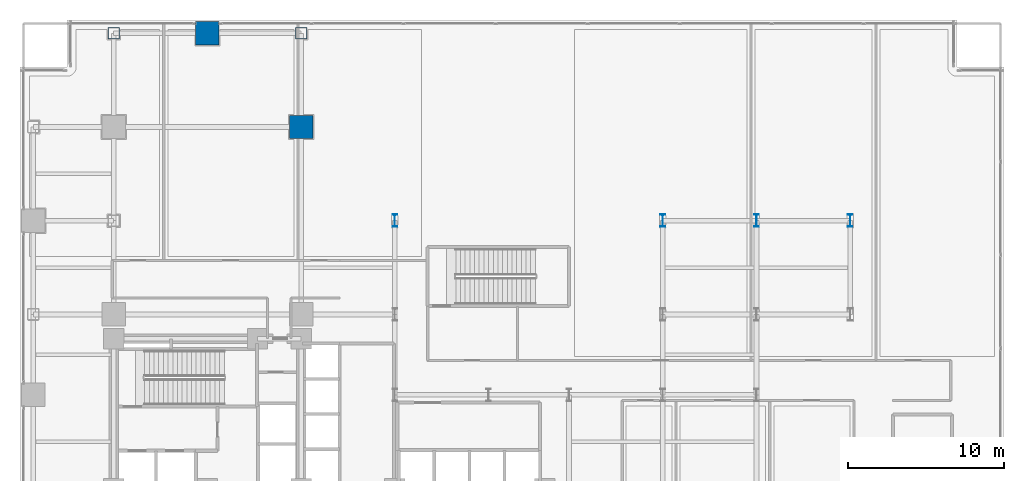
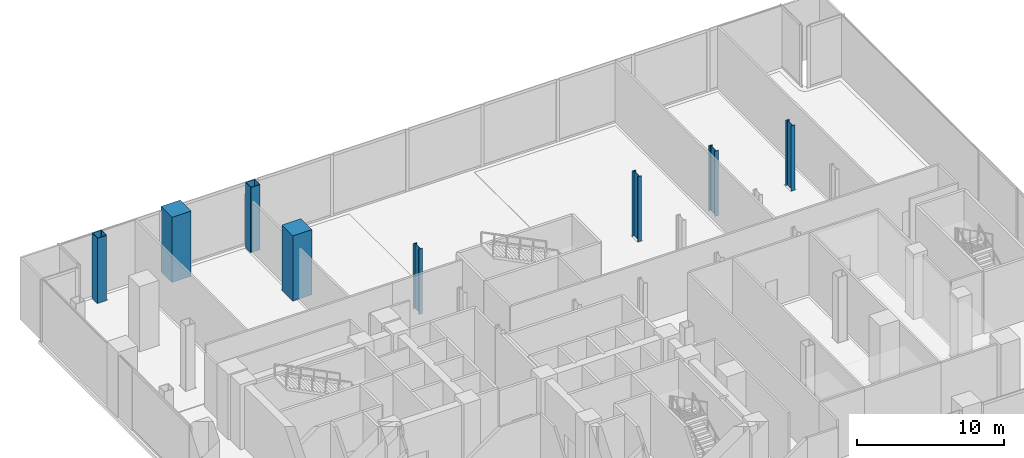
# One storey, part 2 of 27: 8 columns.
"""IFC4 building model written with IfcOpenShell, lengths in metres."""

from ifc_helpers import new_model, si_unit, direction, frame, origin, origin_2d, place, context, subcontext, project, spatial, rectangle, hollow_rectangle, i_section, extrude, material, material_profile, profile_set, type_object, element, save


model = new_model("IFC4")

# Units and contexts
model_context = context("Model", 3, precision=1e-05, world=origin(), true_north=direction((0.0, 1.0)))
body_context = subcontext(model_context, "Body", "Model", "MODEL_VIEW")
ifc_project = project(units=[si_unit("LENGTHUNIT", "METRE"), si_unit("AREAUNIT", "SQUARE_METRE"), si_unit("VOLUMEUNIT", "CUBIC_METRE"), si_unit("PLANEANGLEUNIT", "RADIAN"), si_unit("MASSUNIT", "GRAM", prefix="KILO"), si_unit("THERMODYNAMICTEMPERATUREUNIT", "KELVIN"), si_unit("POWERUNIT", "WATT")], contexts=[model_context])

# Site, building, storey
site_placement = place(None, origin())
site = spatial("IfcSite", under=ifc_project, at=site_placement, CompositionType="ELEMENT")
building_placement = place(site_placement, origin())
building = spatial("IfcBuilding", under=site, at=building_placement, Name="Svarakhadi Broadcast Tower", CompositionType="ELEMENT")
storey_placement = place(building_placement, frame((0.0, 0.0, 16.5)))
storey = spatial("IfcBuildingStorey", under=building, at=storey_placement, Name="L03", CompositionType="ELEMENT", Elevation=16.5)

# Columns
ifc_material_1 = material(Name="Steel S460ML (IS 2062 E450BR)", Category="steel")
ifc_material_profile_1 = material_profile(ifc_material_1, hollow_rectangle(XDim=0.75, YDim=0.75, WallThickness=0.034912109375, InnerFilletRadius=0.034912109375, OuterFilletRadius=0.050048828125, at=origin_2d()), Name="BOX 750x750x35")
ifc_profile_set_1 = profile_set([ifc_material_profile_1], Name="Steel S460ML (IS 2062 E450BR)")
column_type_1 = type_object("IfcColumnType", Name="Col_BOX750", PredefinedType="COLUMN", material=ifc_profile_set_1)
for number, where, z_axis, x_axis, name in (
    (1, (6.0, 47.14990234375, 0.0), (0.0, 0.0, 1.0), (1.0, 0.0, 0.0), "L03 Column G17"),
    (2, (18.0, 47.14990234375, 0.0), (0.0, 0.0, 1.0), (1.0, 0.0, 0.0), "L03 Column G31"),
):
    element("IfcColumn", number, at=place(storey_placement, frame(where, z_axis=z_axis, x_axis=x_axis)), inside=storey, type_object=column_type_1, Name=name, PredefinedType="COLUMN", context=body_context, shape_type="SweptSolid", body=[
        extrude(hollow_rectangle(XDim=0.75, YDim=0.75, WallThickness=0.034912109375, InnerFilletRadius=0.034912109375, OuterFilletRadius=0.050048828125, at=origin_2d()), origin(), (0.0, 0.0, 1.0), 5.39990234375),
    ])
ifc_material_2 = material(Name="Concrete C60/75 (IS 456 M70)", Category="concrete")
ifc_material_profile_2 = material_profile(ifc_material_2, rectangle(XDim=1.5, YDim=1.5, at=origin_2d()), Name="RC 1500x1500")
ifc_profile_set_2 = profile_set([ifc_material_profile_2], Name="Concrete C60/75 (IS 456 M70)")
column_type_2 = type_object("IfcColumnType", Name="Col_RC1500", PredefinedType="COLUMN", material=ifc_profile_set_2)
for number, where, z_axis, x_axis, name in (
    (3, (12.0, 47.14990234375, 0.0), (0.0, 0.0, 1.0), (1.0, 0.0, 0.0), "L03 Column G24"),
    (4, (18.0, 41.14990234375, 0.0), (0.0, 0.0, 1.0), (1.0, 0.0, 0.0), "L03 Column G30"),
):
    element("IfcColumn", number, at=place(storey_placement, frame(where, z_axis=z_axis, x_axis=x_axis)), inside=storey, type_object=column_type_2, Name=name, PredefinedType="COLUMN", context=body_context, shape_type="SweptSolid", body=[
        extrude(rectangle(XDim=1.5, YDim=1.5, at=origin_2d()), origin(), (0.0, 0.0, 1.0), 5.39990234375),
    ])
ifc_material_profile_3 = material_profile(ifc_material_1, i_section(OverallWidth=0.300048828125, OverallDepth=0.800048828125, WebThickness=0.017578125, FlangeThickness=0.032958984375, FilletRadius=0.030029296875, at=origin_2d()), Name="WPB 800x300x262")
ifc_profile_set_3 = profile_set([ifc_material_profile_3], Name="Steel S460ML (IS 2062 E450BR)")
column_type_3 = type_object("IfcColumnType", Name="Col_WPB800", PredefinedType="COLUMN", material=ifc_profile_set_3)
for number, where, z_axis, x_axis, name in (
    (5, (24.0, 35.14990234375, 0.0), (0.0, 0.0, 1.0), (1.0, 0.0, 0.0), "L03 Column G35"),
    (6, (41.14990234375, 35.14990234375, 0.0), (0.0, 0.0, 1.0), (1.0, 0.0, 0.0), "L03 Column G49"),
    (7, (47.14990234375, 35.14990234375, 0.0), (0.0, 0.0, 1.0), (1.0, 0.0, 0.0), "L03 Column G56"),
    (8, (53.14990234375, 35.14990234375, 0.0), (0.0, 0.0, 1.0), (1.0, 0.0, 0.0), "L03 Column G60"),
):
    element("IfcColumn", number, at=place(storey_placement, frame(where, z_axis=z_axis, x_axis=x_axis)), inside=storey, type_object=column_type_3, Name=name, PredefinedType="COLUMN", context=body_context, shape_type="SweptSolid", body=[
        extrude(i_section(OverallWidth=0.300048828125, OverallDepth=0.800048828125, WebThickness=0.017578125, FlangeThickness=0.032958984375, FilletRadius=0.030029296875, at=origin_2d()), origin(), (0.0, 0.0, 1.0), 5.39990234375),
    ])

save(model, "model.ifc")
